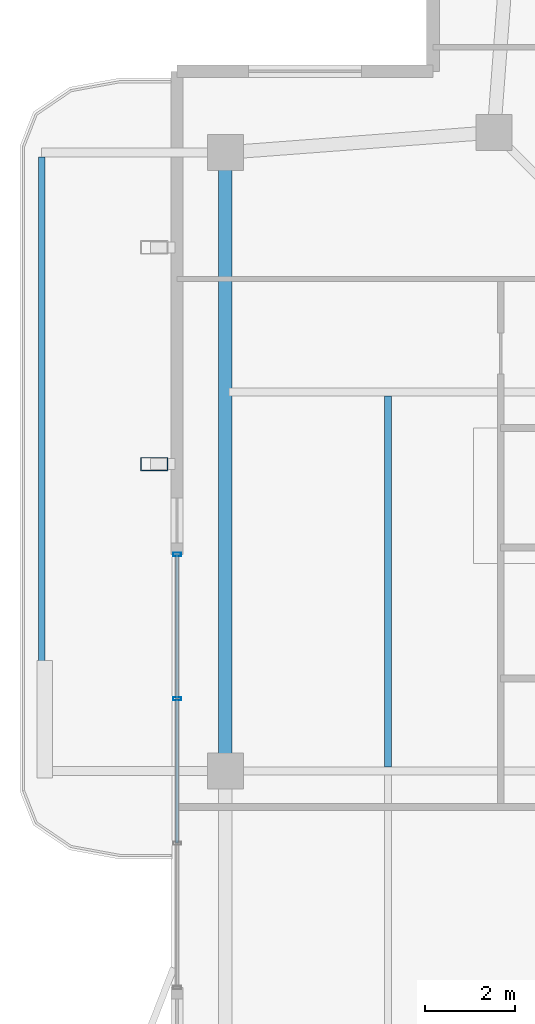
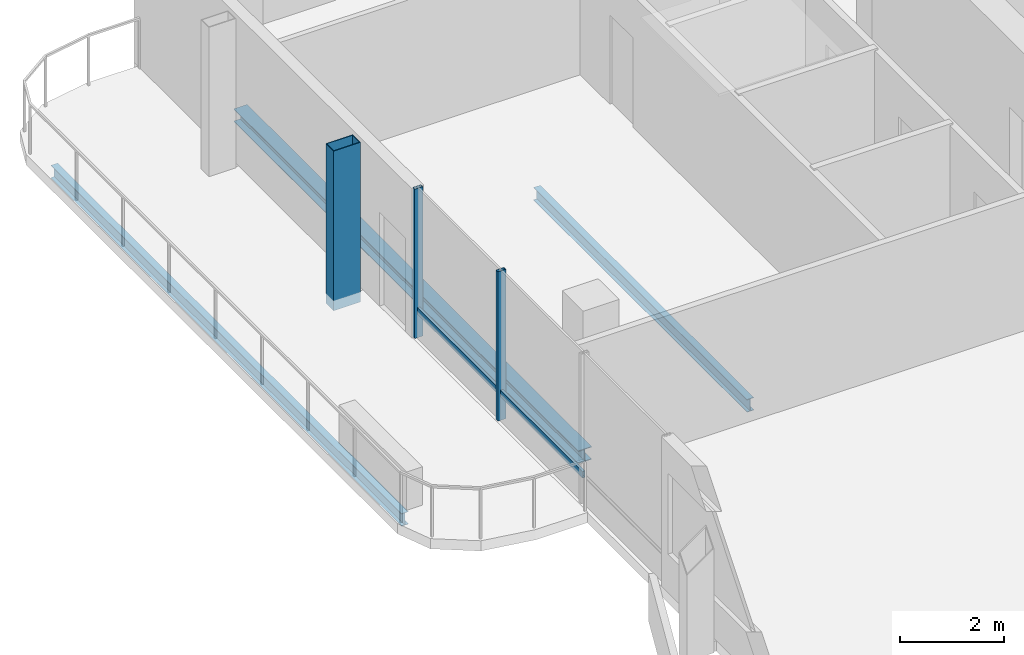
# One storey, part 7 of 22: 5 members, 3 beams, 1 element without a shape of its own.
"""IFC4 building model written with IfcOpenShell, lengths in metres."""

from ifc_helpers import new_model, si_unit, direction, frame, origin, origin_2d, place, context, subcontext, project, spatial, hollow_rectangle, i_section, extrude, material, layer, layer_set, material_profile, profile_set, type_object, element, aggregate, save


model = new_model("IFC4")

# Units and contexts
model_context = context("Model", 3, precision=1e-05, world=origin(), true_north=direction((0.0, 1.0)))
body_context = subcontext(model_context, "Body", "Model", "MODEL_VIEW")
ifc_project = project(units=[si_unit("LENGTHUNIT", "METRE"), si_unit("AREAUNIT", "SQUARE_METRE"), si_unit("VOLUMEUNIT", "CUBIC_METRE"), si_unit("PLANEANGLEUNIT", "RADIAN"), si_unit("MASSUNIT", "GRAM", prefix="KILO")], contexts=[model_context])

# Site, building, storey
site_placement = place(None, origin())
site = spatial("IfcSite", under=ifc_project, at=site_placement, CompositionType="ELEMENT")
building_placement = place(site_placement, origin())
building = spatial("IfcBuilding", under=site, at=building_placement, Name="Belovzor Exchange Tower", CompositionType="ELEMENT")
storey_placement = place(building_placement, frame((0.0, 0.0, 348.0)))
storey = spatial("IfcBuildingStorey", under=building, at=storey_placement, Name="L87", CompositionType="ELEMENT", Elevation=348.0)

# Beams
ifc_material_1 = material(Name="Steel S355", Category="steel")
ifc_material_profile_1 = material_profile(ifc_material_1, i_section(OverallWidth=0.14990234375, OverallDepth=0.300048828125, WebThickness=0.007080078125, FlangeThickness=0.0107421875, at=origin_2d()))
ifc_profile_set_1 = profile_set([ifc_material_profile_1], Name="Steel S355")
beam_type_1 = type_object("IfcBeamType", Name="Planted Balcony Fascia Edge Beam IPE 300", PredefinedType="BEAM", material=ifc_profile_set_1)
beam_1_placement = place(storey_placement, frame((4.6298828125, 42.39990234375, -0.389892578125), z_axis=(0.0, -1.0, 0.0), x_axis=(1.0, 0.0, 0.0)))
element("IfcBeam", 1, at=beam_1_placement, inside=storey, type_object=beam_type_1, Name="BC-300 Planted Balcony Fascia Edge Beam IPE 300", PredefinedType="BEAM", context=body_context, shape_type="SweptSolid", body=[
    extrude(i_section(OverallWidth=0.14990234375, OverallDepth=0.300048828125, WebThickness=0.007080078125, FlangeThickness=0.0107421875, at=origin_2d()), origin(), (0.0, 0.0, 1.0), 13.5),
])
ifc_material_2 = material(Name="Steel S355", Category="steel")
ifc_material_profile_2 = material_profile(ifc_material_2, i_section(OverallWidth=0.14990234375, OverallDepth=0.300048828125, WebThickness=0.007080078125, FlangeThickness=0.0107421875, at=origin_2d()))
ifc_profile_set_2 = profile_set([ifc_material_profile_2], Name="Steel S355")
beam_type_2 = type_object("IfcBeamType", Name="Secondary Trim Floor Joist IPE 300", PredefinedType="BEAM", material=ifc_profile_set_2)
beam_2_placement = place(storey_placement, frame((12.302978515625, 28.889892578125, -0.389892578125), z_axis=(0.0, 1.0, 0.0), x_axis=(-1.0, 0.0, 0.0)))
element("IfcBeam", 2, at=beam_2_placement, inside=storey, type_object=beam_type_2, Name="FJ-300 Secondary Trim Floor Joist IPE 300", PredefinedType="BEAM", context=body_context, shape_type="SweptSolid", body=[
    extrude(i_section(OverallWidth=0.14990234375, OverallDepth=0.300048828125, WebThickness=0.007080078125, FlangeThickness=0.0107421875, at=origin_2d()), origin(), (0.0, 0.0, 1.0), 8.22021484375),
])

# Curtain wall, members
ifc_material_3 = material(Name="Anodised Aluminium Framing", Category="aluminium")
ifc_layer = layer(ifc_material_3, 0.179931640625)
ifc_layer_set = layer_set([ifc_layer], Name="Anodised Aluminium Framing")
curtain_wall_type = type_object("IfcCurtainWallType", Name="Recessed Loggia Low-Iron Triple-Glazed Curtain Wall", PredefinedType="NOTDEFINED", material=ifc_layer_set)
curtain_wall_placement = place(storey_placement, origin())
curtain_wall = element("IfcCurtainWall", 3, at=curtain_wall_placement, inside=storey, type_object=curtain_wall_type, Name="CW3 Recessed Loggia Low-Iron Triple-Glazed Curtain Wall L87", PredefinedType="NOTDEFINED")
ifc_material_4 = material(Name="Steel S355", Category="steel")
ifc_material_profile_3 = material_profile(ifc_material_4, hollow_rectangle(XDim=0.074951171875, YDim=0.179931640625, WallThickness=0.0048828125, at=origin_2d()))
ifc_profile_set_3 = profile_set([ifc_material_profile_3], Name="Steel S355")
member_type_1 = type_object("IfcMemberType", Name="Thermally Broken Curtain Wall Mullion 180x75", PredefinedType="MULLION", material=ifc_profile_set_3)
member_1_placement = place(storey_placement, frame((7.6298828125, 30.39990234375, 0.0), z_axis=(0.0, 0.0, 1.0), x_axis=(0.0, 1.0, 0.0)))
member_1 = element("IfcMember", 4, at=member_1_placement, type_object=member_type_1, Name="CW-M180 Curtain Wall Mullion 3", PredefinedType="MULLION", context=body_context, shape_type="SweptSolid", body=[
    extrude(hollow_rectangle(XDim=0.074951171875, YDim=0.179931640625, WallThickness=0.0048828125, at=origin_2d()), origin(), (0.0, 0.0, 1.0), 3.510009765625),
])
member_2_placement = place(storey_placement, frame((7.6298828125, 33.60009765625, 0.0), z_axis=(0.0, 0.0, 1.0), x_axis=(0.0, 1.0, 0.0)))
member_2 = element("IfcMember", 5, at=member_2_placement, type_object=member_type_1, Name="CW-M180 Curtain Wall Mullion 4", PredefinedType="MULLION", context=body_context, shape_type="SweptSolid", body=[
    extrude(hollow_rectangle(XDim=0.074951171875, YDim=0.179931640625, WallThickness=0.0048828125, at=origin_2d()), origin(), (0.0, 0.0, 1.0), 3.510009765625),
])
ifc_material_5 = material(Name="Steel S355", Category="steel")
ifc_material_profile_4 = material_profile(ifc_material_5, hollow_rectangle(XDim=0.06005859375, YDim=0.14990234375, WallThickness=0.00390625, at=origin_2d()))
ifc_profile_set_4 = profile_set([ifc_material_profile_4], Name="Steel S355")
member_type_2 = type_object("IfcMemberType", Name="Thermally Broken Curtain Wall Transom 150x60", PredefinedType="USERDEFINED", material=ifc_profile_set_4)
member_3_placement = place(storey_placement, frame((7.6298828125, 27.2080078125, 0.632080078125), z_axis=(0.0, 1.0, 0.0), x_axis=(-1.0, 0.0, 0.0)))
member_3 = element("IfcMember", 6, at=member_3_placement, type_object=member_type_2, Name="CW-T150 Curtain Wall Transom 2", ObjectType="TRANSOM", PredefinedType="USERDEFINED", context=body_context, shape_type="SweptSolid", body=[
    extrude(hollow_rectangle(XDim=0.06005859375, YDim=0.14990234375, WallThickness=0.00390625, at=origin_2d()), origin(), (0.0, 0.0, 1.0), 3.18408203125),
])
member_4_placement = place(storey_placement, frame((7.6298828125, 30.407958984375, 0.632080078125), z_axis=(0.0, 1.0, 0.0), x_axis=(-1.0, 0.0, 0.0)))
member_4 = element("IfcMember", 7, at=member_4_placement, type_object=member_type_2, Name="CW-T150 Curtain Wall Transom 3", ObjectType="TRANSOM", PredefinedType="USERDEFINED", context=body_context, shape_type="SweptSolid", body=[
    extrude(hollow_rectangle(XDim=0.06005859375, YDim=0.14990234375, WallThickness=0.00390625, at=origin_2d()), origin(), (0.0, 0.0, 1.0), 3.18408203125),
])
aggregate(curtain_wall, [member_1, member_2, member_3, member_4])

# Member
ifc_material_6 = material(Name="Extruded Architectural Terracotta on Steel S355 Carrier", Category="masonry")
ifc_material_profile_5 = material_profile(ifc_material_6, hollow_rectangle(XDim=0.300048828125, YDim=0.60009765625, WallThickness=0.01611328125, at=origin_2d()))
ifc_profile_set_5 = profile_set([ifc_material_profile_5], Name="Extruded Architectural Terracotta on Steel S355 Carrier")
member_type_3 = type_object("IfcMemberType", Name="Upper Crown Terracotta Fin Assembly 550", PredefinedType="USERDEFINED", material=ifc_profile_set_5)
member_5_placement = place(storey_placement, frame((7.125, 35.60009765625, -0.239990234375), z_axis=(0.0, 0.0, 1.0), x_axis=(0.0, 1.0, 0.0)))
element("IfcMember", 8, at=member_5_placement, inside=storey, type_object=member_type_3, Name="FIN-TC055 Terracotta Facade Fin L87 W3", ObjectType="FIN", PredefinedType="USERDEFINED", context=body_context, shape_type="SweptSolid", body=[
    extrude(hollow_rectangle(XDim=0.300048828125, YDim=0.60009765625, WallThickness=0.01611328125, at=origin_2d()), origin(), (0.0, 0.0, 1.0), 3.75),
])

# Beam
ifc_material_7 = material(Name="Steel S355", Category="steel")
ifc_material_profile_6 = material_profile(ifc_material_7, i_section(OverallWidth=0.300048828125, OverallDepth=0.300048828125, WebThickness=0.008544921875, FlangeThickness=0.013916015625, at=origin_2d()))
ifc_profile_set_6 = profile_set([ifc_material_profile_6], Name="Steel S355")
beam_type_3 = type_object("IfcBeamType", Name="Zone 6 Primary Girder HEA 300", PredefinedType="BEAM", material=ifc_profile_set_6)
beam_3_placement = place(storey_placement, frame((8.699951171875, 42.280029296875, -0.389892578125), z_axis=(0.0, -1.0, 0.0), x_axis=(1.0, 0.0, 0.0)))
element("IfcBeam", 9, at=beam_3_placement, inside=storey, type_object=beam_type_3, Name="FG-Z6 Zone 6 Primary Girder HEA 300", PredefinedType="BEAM", context=body_context, shape_type="SweptSolid", body=[
    extrude(i_section(OverallWidth=0.300048828125, OverallDepth=0.300048828125, WebThickness=0.008544921875, FlangeThickness=0.013916015625, at=origin_2d()), origin(), (0.0, 0.0, 1.0), 13.260009765625),
])

save(model, "model.ifc")
